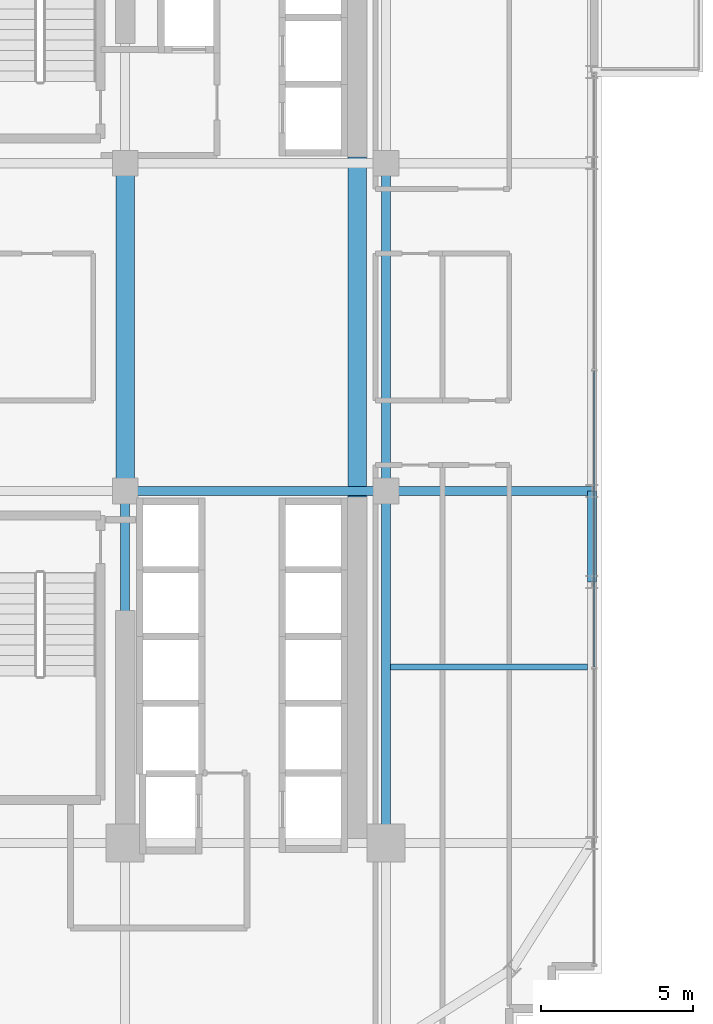
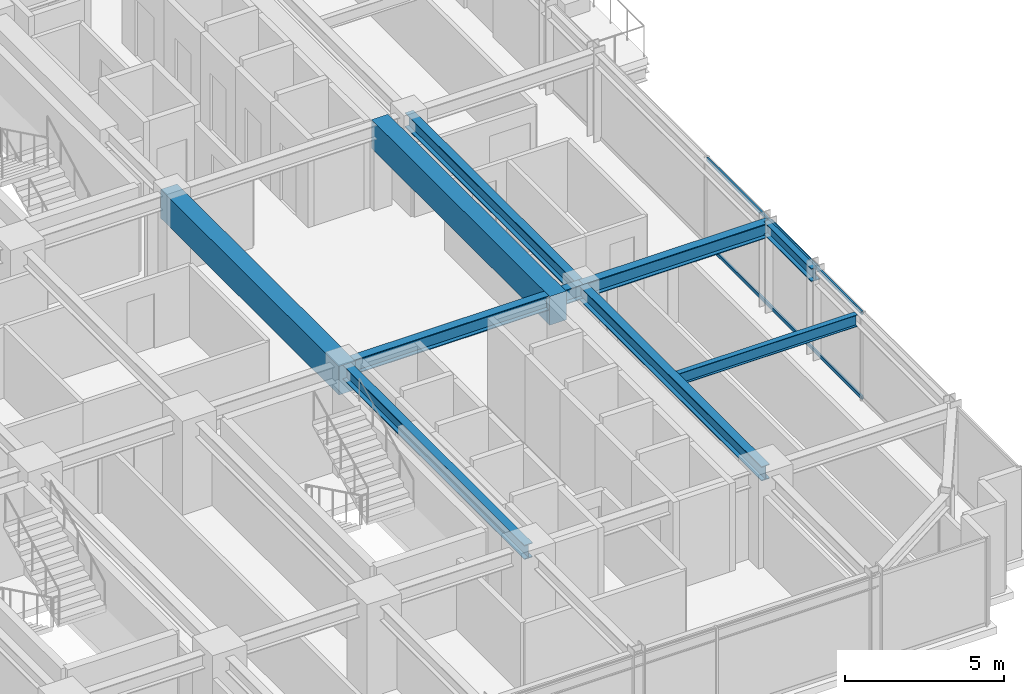
# One storey, part 14 of 32: 9 beams, 2 members, 1 element without a shape of its own.
"""IFC4 building model written with IfcOpenShell, lengths in metres."""

from ifc_helpers import new_model, si_unit, direction, frame, origin, origin_2d, place, context, subcontext, project, spatial, rectangle, hollow_rectangle, i_section, extrude, source, transform, mapped, material, material_profile, profile_set, type_object, element, aggregate, save


model = new_model("IFC4")

# Units and contexts
model_context = context("Model", 3, precision=1e-05, world=origin(), true_north=direction((0.0, 1.0)))
body_context = subcontext(model_context, "Body", "Model", "MODEL_VIEW")
ifc_project = project(units=[si_unit("LENGTHUNIT", "METRE"), si_unit("AREAUNIT", "SQUARE_METRE"), si_unit("VOLUMEUNIT", "CUBIC_METRE"), si_unit("PLANEANGLEUNIT", "RADIAN"), si_unit("MASSUNIT", "GRAM", prefix="KILO")], contexts=[model_context])

# Site, building, storey
site_placement = place(None, origin())
site = spatial("IfcSite", under=ifc_project, at=site_placement, CompositionType="ELEMENT")
building_placement = place(site_placement, origin())
building = spatial("IfcBuilding", under=site, at=building_placement, Name="Nahalor Promenade Grand Hotel", CompositionType="ELEMENT")
storey_placement = place(building_placement, frame((0.0, 0.0, 102.89990234375)))
storey = spatial("IfcBuildingStorey", under=building, at=storey_placement, Name="L25", CompositionType="ELEMENT", Elevation=102.89990234375)

# Beams
ifc_material_1 = material(Name="Concrete B-60 (C50/60)", Category="concrete")
ifc_material_profile_1 = material_profile(ifc_material_1, rectangle(XDim=0.6, YDim=1.1, at=origin_2d()), Name="RC 600x1100")
ifc_profile_set_1 = profile_set([ifc_material_profile_1], Name="Concrete B-60 (C50/60)")
beam_type_1 = type_object("IfcBeamType", Name="Beam-Lintel-RC1100", PredefinedType="LINTEL", material=ifc_profile_set_1)
shared_shape_1 = source(origin(), body_context, "Body", "SweptSolid", [
    extrude(rectangle(XDim=0.6, YDim=1.1, at=origin_2d()), origin(), (0.0, 0.0, 1.0), 11.2001953125),
])
for number, where, z_axis, x_axis, name in (
    (1, (8.39990234375, -5.60009765625, 2.830078125), (0.0, 1.0, 0.0), (-1.0, 0.0, 0.0), "BM-L25-LINT-W"),
    (2, (16.050048828125, -5.60009765625, 2.830078125), (0.0, 1.0, 0.0), (-1.0, 0.0, 0.0), "BM-L25-LINT-E"),
):
    element("IfcBeam", number, at=place(storey_placement, frame(where, z_axis=z_axis, x_axis=x_axis)), inside=storey, type_object=beam_type_1, Name=name, PredefinedType="LINTEL", context=body_context, shape_type="MappedRepresentation", body=[
        mapped(shared_shape_1, transform((0.0, 0.0, 0.0), scale=1.0)),
    ])
ifc_material_2 = material(Name="Steel S355JR", Category="steel")
ifc_material_profile_2 = material_profile(ifc_material_2, i_section(OverallWidth=0.3, OverallDepth=0.5, WebThickness=0.0145, FlangeThickness=0.028, at=origin_2d()), Name="HEB 500")
ifc_profile_set_2 = profile_set([ifc_material_profile_2], Name="Steel S355JR")
beam_type_2 = type_object("IfcBeamType", Name="Beam-Spandrel-HEB500", PredefinedType="SPANDREL", material=ifc_profile_set_2)
shared_shape_2 = source(origin(), body_context, "Body", "SweptSolid", [
    extrude(i_section(OverallWidth=0.3, OverallDepth=0.5, WebThickness=0.0145, FlangeThickness=0.028, at=origin_2d()), origin(), (0.0, 0.0, 1.0), 3.0),
])
beam_1_placement = place(storey_placement, frame((23.780029296875, -8.39990234375, 3.130126953125), z_axis=(0.0, 1.0, 0.0), x_axis=(-1.0, 0.0, 0.0)))
element("IfcBeam", 3, at=beam_1_placement, inside=storey, type_object=beam_type_2, Name="BM-L25-SP-E-1", PredefinedType="SPANDREL", context=body_context, shape_type="MappedRepresentation", body=[
    mapped(shared_shape_2, transform((0.0, 0.0, 0.0), scale=1.0)),
])
ifc_material_profile_3 = material_profile(ifc_material_2, i_section(OverallWidth=0.3, OverallDepth=0.55, WebThickness=0.015, FlangeThickness=0.029, at=origin_2d()), Name="HEB 550")
ifc_profile_set_3 = profile_set([ifc_material_profile_3], Name="Steel S355JR")
beam_type_3 = type_object("IfcBeamType", Name="Beam-Girder-HEB550", PredefinedType="BEAM", material=ifc_profile_set_3)
shared_shape_3 = source(origin(), body_context, "Body", "SweptSolid", [
    extrude(i_section(OverallWidth=0.3, OverallDepth=0.55, WebThickness=0.015, FlangeThickness=0.029, at=origin_2d()), origin(), (0.0, 0.0, 1.0), 6.780029296875),
])
beam_2_placement = place(storey_placement, frame((17.0, -5.39990234375, 3.10498046875), z_axis=(1.0, 0.0, 0.0), x_axis=(0.0, 1.0, 0.0)))
element("IfcBeam", 4, at=beam_2_placement, inside=storey, type_object=beam_type_3, Name="BM-L25-GX-1-6", PredefinedType="BEAM", context=body_context, shape_type="MappedRepresentation", body=[
    mapped(shared_shape_3, transform((0.0, 0.0, 0.0), scale=1.0)),
])
shared_shape_4 = source(origin(), body_context, "Body", "SweptSolid", [
    extrude(i_section(OverallWidth=0.3, OverallDepth=0.55, WebThickness=0.015, FlangeThickness=0.029, at=origin_2d()), origin(), (0.0, 0.0, 1.0), 8.60009765625),
])
beam_3_placement = place(storey_placement, frame((8.39990234375, -5.39990234375, 3.10498046875), z_axis=(1.0, 0.0, 0.0), x_axis=(0.0, 1.0, 0.0)))
element("IfcBeam", 5, at=beam_3_placement, inside=storey, type_object=beam_type_3, Name="BM-L25-GX-1-5", PredefinedType="BEAM", context=body_context, shape_type="MappedRepresentation", body=[
    mapped(shared_shape_4, transform((0.0, 0.0, 0.0), scale=1.0)),
])
shared_shape_5 = source(origin(), body_context, "Body", "SweptSolid", [
    extrude(i_section(OverallWidth=0.3, OverallDepth=0.55, WebThickness=0.015, FlangeThickness=0.029, at=origin_2d()), origin(), (0.0, 0.0, 1.0), 11.60009765625),
])
for number, where, z_axis, x_axis, name in (
    (6, (8.39990234375, -17.0, 3.10498046875), (0.0, 1.0, 0.0), (-1.0, 0.0, 0.0), "BM-L25-GY-4-1"),
    (7, (17.0, -17.0, 3.10498046875), (0.0, 1.0, 0.0), (-1.0, 0.0, 0.0), "BM-L25-GY-5-1"),
):
    element("IfcBeam", number, at=place(storey_placement, frame(where, z_axis=z_axis, x_axis=x_axis)), inside=storey, type_object=beam_type_3, Name=name, PredefinedType="BEAM", context=body_context, shape_type="MappedRepresentation", body=[
        mapped(shared_shape_5, transform((0.0, 0.0, 0.0), scale=1.0)),
    ])
shared_shape_6 = source(origin(), body_context, "Body", "SweptSolid", [
    extrude(i_section(OverallWidth=0.3, OverallDepth=0.55, WebThickness=0.015, FlangeThickness=0.029, at=origin_2d()), origin(), (0.0, 0.0, 1.0), 10.7998046875),
])
beam_4_placement = place(storey_placement, frame((17.0, -5.39990234375, 3.10498046875), z_axis=(0.0, 1.0, 0.0), x_axis=(-1.0, 0.0, 0.0)))
element("IfcBeam", 8, at=beam_4_placement, inside=storey, type_object=beam_type_3, Name="BM-L25-GY-5-2", PredefinedType="BEAM", context=body_context, shape_type="MappedRepresentation", body=[
    mapped(shared_shape_6, transform((0.0, 0.0, 0.0), scale=1.0)),
])
ifc_material_profile_4 = material_profile(ifc_material_2, i_section(OverallWidth=0.19, OverallDepth=0.45, WebThickness=0.0094, FlangeThickness=0.0146, at=origin_2d()), Name="IPE 450")
ifc_profile_set_4 = profile_set([ifc_material_profile_4], Name="Steel S355JR")
beam_type_4 = type_object("IfcBeamType", Name="Beam-Joist-IPE450", PredefinedType="JOIST", material=ifc_profile_set_4)
shared_shape_7 = source(origin(), body_context, "Body", "SweptSolid", [
    extrude(i_section(OverallWidth=0.19, OverallDepth=0.45, WebThickness=0.0094, FlangeThickness=0.0146, at=origin_2d()), origin(), (0.0, 0.0, 1.0), 6.47998046875),
])
beam_5_placement = place(storey_placement, frame((17.14990234375, -11.199951171875, 3.155029296875), z_axis=(1.0, 0.0, 0.0), x_axis=(0.0, 1.0, 0.0)))
element("IfcBeam", 9, at=beam_5_placement, inside=storey, type_object=beam_type_4, Name="BM-L25-JSE-0-2", PredefinedType="JOIST", context=body_context, shape_type="MappedRepresentation", body=[
    mapped(shared_shape_7, transform((0.0, 0.0, 0.0), scale=1.0)),
])

# Curtain wall, members
ifc_material_3 = material(Name="Anodised Bronze Aluminium EN AW-6063 T6", Category="aluminium")
curtain_wall_type = type_object("IfcCurtainWallType", Name="CW2 Typical Hotel Flush Bronze Unitised Curtain Wall", PredefinedType="USERDEFINED", material=ifc_material_3)
curtain_wall_placement = place(storey_placement, origin())
curtain_wall = element("IfcCurtainWall", 10, at=curtain_wall_placement, inside=storey, type_object=curtain_wall_type, Name="L25 Curtain Wall CW-L25-E-1", ObjectType="UNITISED_CURTAIN_WALL", PredefinedType="USERDEFINED")
ifc_material_profile_5 = material_profile(ifc_material_3, hollow_rectangle(XDim=0.065, YDim=0.13, WallThickness=0.004, at=origin_2d()), Name="CWT 65x130x4")
ifc_profile_set_5 = profile_set([ifc_material_profile_5], Name="Anodised Bronze Aluminium EN AW-6063 T6")
member_type = type_object("IfcMemberType", Name="CWT2 Typical Bronze Transom 65x130", PredefinedType="USERDEFINED", material=ifc_profile_set_5)
shared_shape_8 = source(origin(), body_context, "Body", "SweptSolid", [
    extrude(hollow_rectangle(XDim=0.065, YDim=0.13, WallThickness=0.004, at=origin_2d()), origin(), (0.0, 0.0, 1.0), 9.755126953125),
])
member_1_placement = place(storey_placement, frame((23.860107421875, -11.20751953125, 0.065185546875), z_axis=(0.0, 1.0, 0.0), x_axis=(-1.0, 0.0, 0.0)))
member_1 = element("IfcMember", 11, at=member_1_placement, type_object=member_type, Name="CW-L25-E-1 Transom 1-0", ObjectType="TRANSOM", PredefinedType="USERDEFINED", context=body_context, shape_type="MappedRepresentation", body=[
    mapped(shared_shape_8, transform((0.0, 0.0, 0.0), scale=1.0)),
])
member_2_placement = place(storey_placement, frame((23.860107421875, -11.20751953125, 3.315185546875), z_axis=(0.0, 1.0, 0.0), x_axis=(-1.0, 0.0, 0.0)))
member_2 = element("IfcMember", 12, at=member_2_placement, type_object=member_type, Name="CW-L25-E-1 Transom 1-1", ObjectType="TRANSOM", PredefinedType="USERDEFINED", context=body_context, shape_type="MappedRepresentation", body=[
    mapped(shared_shape_8, transform((0.0, 0.0, 0.0), scale=1.0)),
])
aggregate(curtain_wall, [member_1, member_2])

save(model, "model.ifc")
